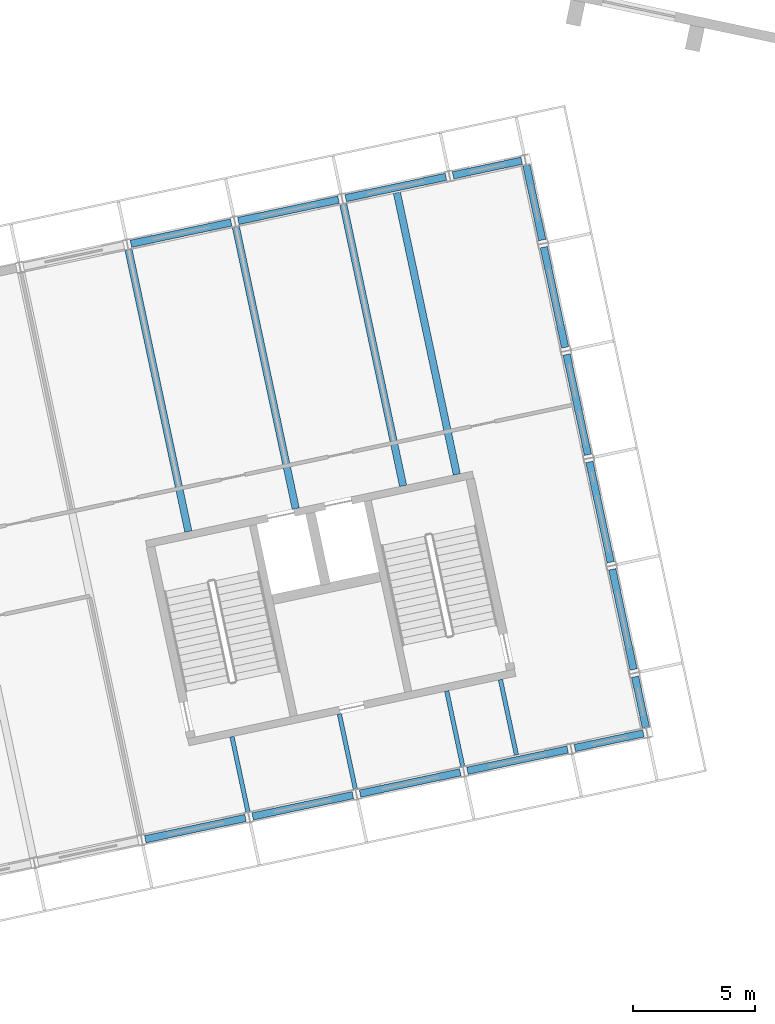
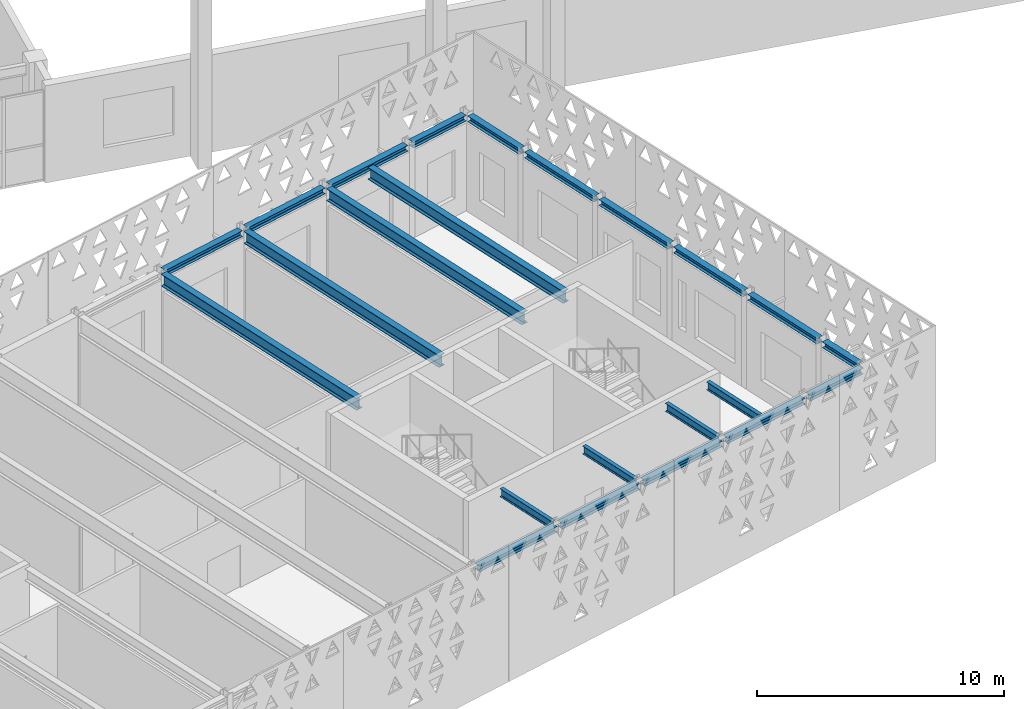
# One storey, part 35 of 182: 23 beams.
"""IFC4 building model written with IfcOpenShell, lengths in metres."""

from ifc_helpers import new_model, si_unit, direction, frame, origin, origin_2d, place, context, subcontext, project, spatial, i_section, extrude, material, material_profile, profile_set, type_object, element, save


model = new_model("IFC4")

# Units and contexts
model_context = context("Model", 3, precision=1e-05, world=origin(), true_north=direction((0.0, 1.0)))
body_context = subcontext(model_context, "Body", "Model", "MODEL_VIEW")
ifc_project = project(units=[si_unit("LENGTHUNIT", "METRE"), si_unit("AREAUNIT", "SQUARE_METRE"), si_unit("VOLUMEUNIT", "CUBIC_METRE"), si_unit("PLANEANGLEUNIT", "RADIAN"), si_unit("MASSUNIT", "GRAM", prefix="KILO")], contexts=[model_context])

# Site, building, storey
site_placement = place(None, origin())
site = spatial("IfcSite", under=ifc_project, at=site_placement, CompositionType="ELEMENT")
building_placement = place(site_placement, origin())
building = spatial("IfcBuilding", under=site, at=building_placement, Name="Okhra Congress Centre", CompositionType="ELEMENT")
storey_placement = place(building_placement, frame((0.0, 0.0, 7.199951171875)))
storey = spatial("IfcBuildingStorey", under=building, at=storey_placement, Name="L01", CompositionType="ELEMENT", Elevation=7.199951171875)

# Beams
ifc_material = material(Name="Steel S355J2", Category="steel")
ifc_material_profile_1 = material_profile(ifc_material, i_section(OverallWidth=0.300048828125, OverallDepth=0.2900390625, WebThickness=0.008544921875, FlangeThickness=0.013916015625, FilletRadius=0.027099609375, at=origin_2d()), Name="HE 300 A")
ifc_profile_set_1 = profile_set([ifc_material_profile_1], Name="Steel S355J2")
beam_type_1 = type_object("IfcBeamType", Name="Edge beam HE 300 A", PredefinedType="BEAM", material=ifc_profile_set_1)
for number, where, z_axis, x_axis, name in (
    (1, (197.609375, 55.843994140625, 4.505126953125), (0.978143927149, 0.207928972925, 0.0), (-0.207928972925, 0.978143927149, 0.0), "Edge beam S32"),
    (2, (202.010986328125, 56.77978515625, 4.505126953125), (0.978155748334, 0.207873355681, 0.0), (-0.207873355681, 0.978155748334, 0.0), "Edge beam S33"),
    (3, (206.41259765625, 57.71533203125, 4.505126953125), (0.978143927149, 0.207928972925, 0.0), (-0.207928972925, 0.978143927149, 0.0), "Edge beam S34"),
):
    element("IfcBeam", number, at=place(storey_placement, frame(where, z_axis=z_axis, x_axis=x_axis)), inside=storey, type_object=beam_type_1, Name=name, PredefinedType="BEAM", context=body_context, shape_type="SweptSolid", body=[
        extrude(i_section(OverallWidth=0.300048828125, OverallDepth=0.2900390625, WebThickness=0.008544921875, FlangeThickness=0.013916015625, FilletRadius=0.027099609375, at=origin_2d()), origin(), (0.0, 0.0, 1.0), 4.199951171875),
    ])
beam_1_placement = place(storey_placement, frame((210.814208984375, 58.65087890625, 4.505126953125), z_axis=(0.978146440129, 0.207917150959, 0.0), x_axis=(-0.207917150959, 0.978146440129, 0.0)))
element("IfcBeam", 4, at=beam_1_placement, inside=storey, type_object=beam_type_1, Name="Edge beam S35", PredefinedType="BEAM", context=body_context, shape_type="SweptSolid", body=[
    extrude(i_section(OverallWidth=0.300048828125, OverallDepth=0.2900390625, WebThickness=0.008544921875, FlangeThickness=0.013916015625, FilletRadius=0.027099609375, at=origin_2d()), origin(), (0.0, 0.0, 1.0), 4.2001953125),
])
beam_2_placement = place(storey_placement, frame((215.216064453125, 59.58642578125, 4.505126953125), z_axis=(0.978134239598, 0.207974540092, 0.0), x_axis=(-0.207974540092, 0.978134239598, 0.0)))
element("IfcBeam", 5, at=beam_2_placement, inside=storey, type_object=beam_type_1, Name="Edge beam S36", PredefinedType="BEAM", context=body_context, shape_type="SweptSolid", body=[
    extrude(i_section(OverallWidth=0.300048828125, OverallDepth=0.2900390625, WebThickness=0.008544921875, FlangeThickness=0.013916015625, FilletRadius=0.027099609375, at=origin_2d()), origin(), (0.0, 0.0, 1.0), 2.874755859375),
])
beam_3_placement = place(storey_placement, frame((197.02099609375, 80.25537109375, 4.505126953125), z_axis=(0.97815826, 0.207861536591, 0.0), x_axis=(-0.207861536591, 0.97815826, 0.0)))
element("IfcBeam", 6, at=beam_3_placement, inside=storey, type_object=beam_type_1, Name="Edge beam N33", PredefinedType="BEAM", context=body_context, shape_type="SweptSolid", body=[
    extrude(i_section(OverallWidth=0.300048828125, OverallDepth=0.2900390625, WebThickness=0.008544921875, FlangeThickness=0.013916015625, FilletRadius=0.027099609375, at=origin_2d()), origin(), (0.0, 0.0, 1.0), 4.2001953125),
])
for number, where, z_axis, x_axis, name in (
    (7, (201.4228515625, 81.19091796875, 4.505126953125), (0.978155748334, 0.207873355681, 0.0), (-0.207873355681, 0.978155748334, 0.0), "Edge beam N34"),
    (8, (205.824462890625, 82.12646484375, 4.505126953125), (0.978143927149, 0.207928972925, 0.0), (-0.207928972925, 0.978143927149, 0.0), "Edge beam N35"),
):
    element("IfcBeam", number, at=place(storey_placement, frame(where, z_axis=z_axis, x_axis=x_axis)), inside=storey, type_object=beam_type_1, Name=name, PredefinedType="BEAM", context=body_context, shape_type="SweptSolid", body=[
        extrude(i_section(OverallWidth=0.300048828125, OverallDepth=0.2900390625, WebThickness=0.008544921875, FlangeThickness=0.013916015625, FilletRadius=0.027099609375, at=origin_2d()), origin(), (0.0, 0.0, 1.0), 4.199951171875),
    ])
beam_4_placement = place(storey_placement, frame((210.22607421875, 83.06201171875, 4.505126953125), z_axis=(0.978137912316, 0.207957266018, 0.0), x_axis=(-0.207957266018, 0.978137912316, 0.0)))
element("IfcBeam", 9, at=beam_4_placement, inside=storey, type_object=beam_type_1, Name="Edge beam N36", PredefinedType="BEAM", context=body_context, shape_type="SweptSolid", body=[
    extrude(i_section(OverallWidth=0.300048828125, OverallDepth=0.2900390625, WebThickness=0.008544921875, FlangeThickness=0.013916015625, FilletRadius=0.027099609375, at=origin_2d()), origin(), (0.0, 0.0, 1.0), 2.875),
])
beam_5_placement = place(storey_placement, frame((218.129150390625, 60.4306640625, 4.505126953125), z_axis=(-0.207943944947, 0.978140744351, 0.0), x_axis=(-0.978140744351, -0.207943944947, 0.0)))
element("IfcBeam", 10, at=beam_5_placement, inside=storey, type_object=beam_type_1, Name="Edge beam E1", PredefinedType="BEAM", context=body_context, shape_type="SweptSolid", body=[
    extrude(i_section(OverallWidth=0.300048828125, OverallDepth=0.2900390625, WebThickness=0.008544921875, FlangeThickness=0.013916015625, FilletRadius=0.027099609375, at=origin_2d()), origin(), (0.0, 0.0, 1.0), 2.125),
])
for number, where, z_axis, x_axis, name in (
    (11, (217.625, 62.802734375, 4.505126953125), (-0.207928972925, 0.978143927149, 0.0), (-0.978143927149, -0.207928972925, 0.0), "Edge beam E2"),
    (12, (216.689208984375, 67.204345703125, 4.505126953125), (-0.207873355681, 0.978155748334, 0.0), (-0.978155748334, -0.207873355681, 0.0), "Edge beam E3"),
    (13, (215.753662109375, 71.60595703125, 4.505126953125), (-0.207873355681, 0.978155748334, 0.0), (-0.978155748334, -0.207873355681, 0.0), "Edge beam E4"),
):
    element("IfcBeam", number, at=place(storey_placement, frame(where, z_axis=z_axis, x_axis=x_axis)), inside=storey, type_object=beam_type_1, Name=name, PredefinedType="BEAM", context=body_context, shape_type="SweptSolid", body=[
        extrude(i_section(OverallWidth=0.300048828125, OverallDepth=0.2900390625, WebThickness=0.008544921875, FlangeThickness=0.013916015625, FilletRadius=0.027099609375, at=origin_2d()), origin(), (0.0, 0.0, 1.0), 4.199951171875),
    ])
beam_6_placement = place(storey_placement, frame((214.818115234375, 76.007568359375, 4.505126953125), z_axis=(-0.207917150959, 0.978146440129, 0.0), x_axis=(-0.978146440129, -0.207917150959, 0.0)))
element("IfcBeam", 14, at=beam_6_placement, inside=storey, type_object=beam_type_1, Name="Edge beam E5", PredefinedType="BEAM", context=body_context, shape_type="SweptSolid", body=[
    extrude(i_section(OverallWidth=0.300048828125, OverallDepth=0.2900390625, WebThickness=0.008544921875, FlangeThickness=0.013916015625, FilletRadius=0.027099609375, at=origin_2d()), origin(), (0.0, 0.0, 1.0), 4.2001953125),
])
beam_7_placement = place(storey_placement, frame((213.882568359375, 80.409423828125, 4.505126953125), z_axis=(-0.207933268122, 0.978143014087, 0.0), x_axis=(-0.978143014087, -0.207933268122, 0.0)))
element("IfcBeam", 15, at=beam_7_placement, inside=storey, type_object=beam_type_1, Name="Edge beam E6", PredefinedType="BEAM", context=body_context, shape_type="SweptSolid", body=[
    extrude(i_section(OverallWidth=0.300048828125, OverallDepth=0.2900390625, WebThickness=0.008544921875, FlangeThickness=0.013916015625, FilletRadius=0.027099609375, at=origin_2d()), origin(), (0.0, 0.0, 1.0), 3.135009765625),
])
ifc_material_profile_2 = material_profile(ifc_material, i_section(OverallWidth=0.300048828125, OverallDepth=0.590087890625, WebThickness=0.012939453125, FlangeThickness=0.02490234375, FilletRadius=0.027099609375, at=origin_2d()), Name="HE 600 A")
ifc_profile_set_2 = profile_set([ifc_material_profile_2], Name="Steel S355J2")
beam_type_2 = type_object("IfcBeamType", Name="Floor beam HE 600 A", PredefinedType="BEAM", material=ifc_profile_set_2)
beam_8_placement = place(storey_placement, frame((199.37451171875, 68.4619140625, 4.35498046875), z_axis=(-0.207910203977, 0.97814791677, 0.0), x_axis=(-0.97814791677, -0.207910203977, 0.0)))
element("IfcBeam", 16, at=beam_8_placement, inside=storey, type_object=beam_type_2, Name="Floor beam 32.2", PredefinedType="BEAM", context=body_context, shape_type="SweptSolid", body=[
    extrude(i_section(OverallWidth=0.300048828125, OverallDepth=0.590087890625, WebThickness=0.012939453125, FlangeThickness=0.02490234375, FilletRadius=0.027099609375, at=origin_2d()), origin(), (0.0, 0.0, 1.0), 11.804931640625),
])
for number, where, z_axis, x_axis, name in (
    (17, (203.776123046875, 69.3974609375, 4.35498046875), (-0.207905998145, 0.978148810731, 0.0), (-0.978148810731, -0.207905998145, 0.0), "Floor beam 33.2"),
    (18, (208.177734375, 70.3330078125, 4.35498046875), (-0.207905998145, 0.978148810731, 0.0), (-0.978148810731, -0.207905998145, 0.0), "Floor beam 34.2"),
    (19, (210.378662109375, 70.80078125, 4.35498046875), (-0.207905998145, 0.978148810731, 0.0), (-0.978148810731, -0.207905998145, 0.0), "Floor beam 35.2"),
):
    element("IfcBeam", number, at=place(storey_placement, frame(where, z_axis=z_axis, x_axis=x_axis)), inside=storey, type_object=beam_type_2, Name=name, PredefinedType="BEAM", context=body_context, shape_type="SweptSolid", body=[
        extrude(i_section(OverallWidth=0.300048828125, OverallDepth=0.590087890625, WebThickness=0.012939453125, FlangeThickness=0.02490234375, FilletRadius=0.027099609375, at=origin_2d()), origin(), (0.0, 0.0, 1.0), 11.80517578125),
    ])
ifc_material_profile_3 = material_profile(ifc_material, i_section(OverallWidth=0.179931640625, OverallDepth=0.39990234375, WebThickness=0.008544921875, FlangeThickness=0.013427734375, FilletRadius=0.02099609375, at=origin_2d()), Name="IPE 400")
ifc_profile_set_3 = profile_set([ifc_material_profile_3], Name="Steel S355J2")
beam_type_3 = type_object("IfcBeamType", Name="Floor beam stub IPE 400", PredefinedType="BEAM", material=ifc_profile_set_3)
beam_9_placement = place(storey_placement, frame((201.818603515625, 56.963623046875, 4.449951171875), z_axis=(-0.207917058571, 0.978146459767, 0.0), x_axis=(-0.978146459767, -0.207917058571, 0.0)))
element("IfcBeam", 20, at=beam_9_placement, inside=storey, type_object=beam_type_3, Name="Floor beam 32.1", PredefinedType="BEAM", context=body_context, shape_type="SweptSolid", body=[
    extrude(i_section(OverallWidth=0.179931640625, OverallDepth=0.39990234375, WebThickness=0.008544921875, FlangeThickness=0.013427734375, FilletRadius=0.02099609375, at=origin_2d()), origin(), (0.0, 0.0, 1.0), 3.155029296875),
])
for number, where, z_axis, x_axis, name in (
    (21, (206.22021484375, 57.8994140625, 4.449951171875), (-0.207932796537, 0.978143114337, 0.0), (-0.978143114337, -0.207932796537, 0.0), "Floor beam 33.1"),
    (22, (210.621826171875, 58.8349609375, 4.449951171875), (-0.207932796537, 0.978143114337, 0.0), (-0.978143114337, -0.207932796537, 0.0), "Floor beam 34.1"),
    (23, (212.82275390625, 59.302734375, 4.449951171875), (-0.207932796537, 0.978143114337, 0.0), (-0.978143114337, -0.207932796537, 0.0), "Floor beam 35.1"),
):
    element("IfcBeam", number, at=place(storey_placement, frame(where, z_axis=z_axis, x_axis=x_axis)), inside=storey, type_object=beam_type_3, Name=name, PredefinedType="BEAM", context=body_context, shape_type="SweptSolid", body=[
        extrude(i_section(OverallWidth=0.179931640625, OverallDepth=0.39990234375, WebThickness=0.008544921875, FlangeThickness=0.013427734375, FilletRadius=0.02099609375, at=origin_2d()), origin(), (0.0, 0.0, 1.0), 3.15478515625),
    ])

save(model, "model.ifc")
